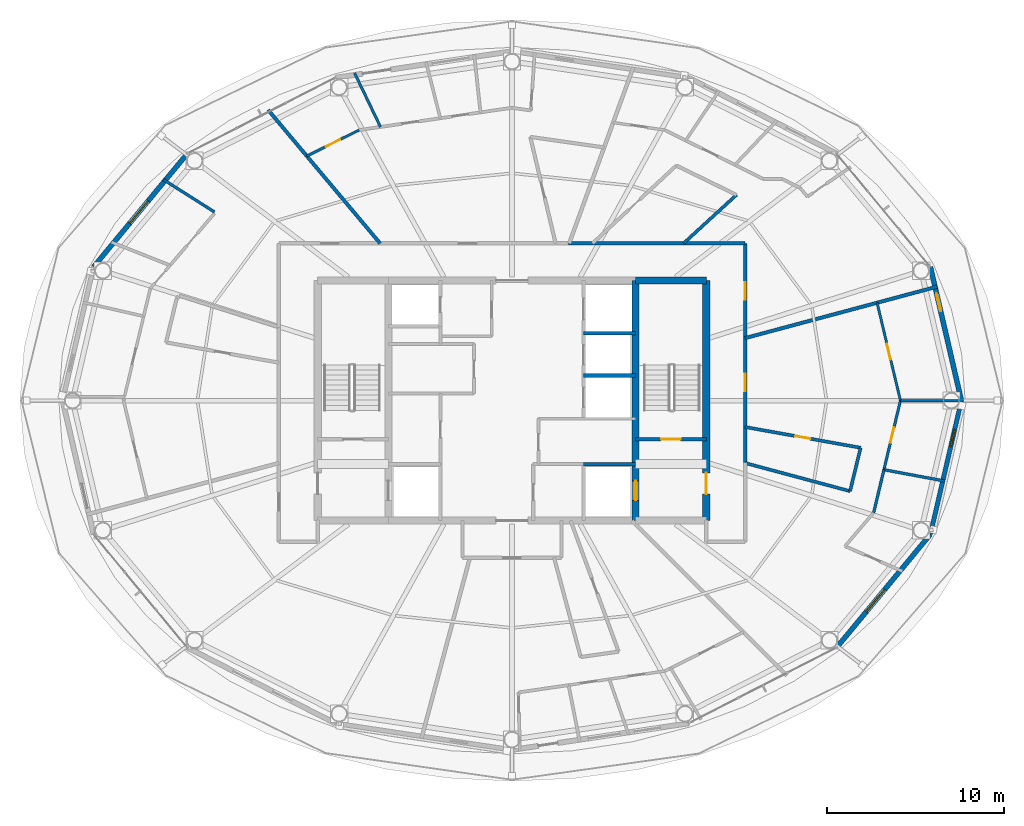
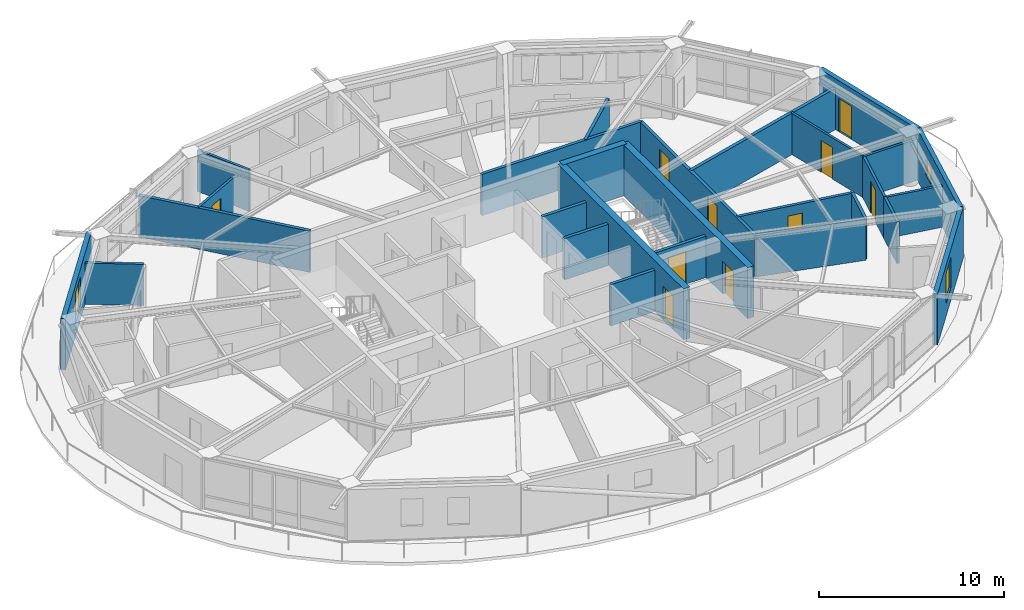
# One storey, part 18 of 23: 27 walls, 10 doors, 3 windows, 13 openings.
"""IFC4 building model written with IfcOpenShell, lengths in metres."""

from ifc_helpers import new_model, si_unit, direction, frame, frame_2d, origin, place, context, subcontext, project, spatial, rectangle, extrude, material, layer, layer_set, type_object, element, fill, save


model = new_model("IFC4")

# Units and contexts
model_context = context("Model", 3, precision=1e-05, world=origin(), true_north=direction((0.0, 1.0)))
body_context = subcontext(model_context, "Body", "Model", "MODEL_VIEW")
ifc_project = project(units=[si_unit("LENGTHUNIT", "METRE"), si_unit("AREAUNIT", "SQUARE_METRE"), si_unit("VOLUMEUNIT", "CUBIC_METRE"), si_unit("PLANEANGLEUNIT", "RADIAN"), si_unit("MASSUNIT", "GRAM", prefix="KILO")], contexts=[model_context])

# Site, building, storey
site_placement = place(None, origin())
site = spatial("IfcSite", under=ifc_project, at=site_placement, CompositionType="ELEMENT")
building_placement = place(site_placement, origin())
building = spatial("IfcBuilding", under=site, at=building_placement, Name="Sarneth Arch Tower", CompositionType="ELEMENT")
storey_placement = place(building_placement, frame((0.0, 0.0, 262.199951171875)))
storey = spatial("IfcBuildingStorey", under=building, at=storey_placement, Name="L67", CompositionType="ELEMENT", Elevation=262.199951171875)

# Wall
ifc_material_1 = material(Name="Concrete C50/60", Category="concrete")
ifc_layer_1 = layer(ifc_material_1, 0.39990234375)
ifc_layer_set_1 = layer_set([ifc_layer_1], Name="Concrete C50/60")
wall_type_1 = type_object("IfcWallType", Name="WALL-CORE-400", PredefinedType="SHEAR", material=ifc_layer_set_1)
wall_1_placement = place(storey_placement, frame((55.0, 48.800048828125, 0.0), z_axis=(0.0, 0.0, 1.0), x_axis=(1.0, 0.0, 0.0)))
element("IfcWall", 1, at=wall_1_placement, inside=storey, type_object=wall_type_1, Name="L67 Core shear wall N-E", PredefinedType="SHEAR", context=body_context, shape_type="SweptSolid", body=[
    extrude(rectangle(XDim=4.0, YDim=0.39990234375, at=frame_2d((2.0, 0.0))), origin(), (0.0, 0.0, 1.0), 3.3701171875),
])

# Wall, opening, door
wall_2_placement = place(storey_placement, frame((59.0, 35.199951171875, 0.0), z_axis=(0.0, 0.0, 1.0), x_axis=(0.0, 1.0, 0.0)))
wall_2 = element("IfcWall", 2, at=wall_2_placement, inside=storey, type_object=wall_type_1, Name="L67 Core shear wall E", PredefinedType="SHEAR", context=body_context, shape_type="SweptSolid", body=[
    extrude(rectangle(XDim=13.60009765625, YDim=0.39990234375, at=frame_2d((6.800048828125, 0.0))), origin(), (0.0, 0.0, 1.0), 3.3701171875),
])
opening_1_placement = place(wall_2_placement, frame((1.5, 0.0, 0.0)))
opening_1 = element("IfcOpeningElement", 3, at=opening_1_placement, cuts=wall_2, Name="Opening FD-02", PredefinedType="OPENING", context=body_context, shape_type="SweptSolid", body=[
    extrude(rectangle(XDim=1.199951171875, YDim=2.14990234375, at=frame_2d((0.60009765625, 1.074951171875))), frame((0.0, 0.2099609375, 0.0), z_axis=(0.0, -1.0, 0.0), x_axis=(1.0, 0.0, 0.0)), (0.0, 0.0, 1.0), 0.419921875),
])
ifc_material_2 = material(Name="Galvanised Steel S275 fire door set", Category="steel")
door_type_1 = type_object("IfcDoorType", Name="DR-FD90-1200", OperationType="SINGLE_SWING_LEFT", PredefinedType="DOOR", material=ifc_material_2)
door_1_placement = place(opening_1_placement, origin())
door_1 = element("IfcDoor", 4, at=door_1_placement, inside=storey, type_object=door_type_1, Name="L67 Firefighting lobby 2 exit door", OperationType="SINGLE_SWING_RIGHT", OverallHeight=2.14990234375, OverallWidth=1.199951171875, PredefinedType="DOOR", context=body_context, shape_type="SweptSolid", body=[
    extrude(rectangle(XDim=1.199951171875, YDim=2.14990234375, at=frame_2d((0.60009765625, 1.074951171875))), frame((0.0, 0.02490234375, 0.0), z_axis=(0.0, -1.0, 0.0), x_axis=(1.0, 0.0, 0.0)), (0.0, 0.0, 1.0), 0.050048828125),
])
fill(opening_1, door_1)

wall_3_placement = place(storey_placement, frame((55.0, 35.199951171875, 0.0), z_axis=(0.0, 0.0, 1.0), x_axis=(0.0, 1.0, 0.0)))
wall_3 = element("IfcWall", 5, at=wall_3_placement, inside=storey, type_object=wall_type_1, Name="L67 Core shear wall WEB-E", PredefinedType="SHEAR", context=body_context, shape_type="SweptSolid", body=[
    extrude(rectangle(XDim=13.60009765625, YDim=0.39990234375, at=frame_2d((6.800048828125, 0.0))), origin(), (0.0, 0.0, 1.0), 3.3701171875),
])
opening_2_placement = place(wall_3_placement, frame((1.14990234375, 0.0, 0.0)))
opening_2 = element("IfcOpeningElement", 6, at=opening_2_placement, cuts=wall_3, Name="Opening LD-1", PredefinedType="OPENING", context=body_context, shape_type="SweptSolid", body=[
    extrude(rectangle(XDim=1.10009765625, YDim=2.199951171875, at=frame_2d((0.550048828125, 1.10009765625))), frame((0.0, 0.2099609375, 0.0), z_axis=(0.0, -1.0, 0.0), x_axis=(1.0, 0.0, 0.0)), (0.0, 0.0, 1.0), 0.419921875),
])
ifc_material_3 = material(Name="Brushed Stainless Steel 304 lift landing door", Category="steel")
door_type_2 = type_object("IfcDoorType", Name="DR-LIFT-SLIDE-1100", OperationType="SLIDING_TO_LEFT", PredefinedType="DOOR", material=ifc_material_3)
door_2_placement = place(opening_2_placement, origin())
door_2 = element("IfcDoor", 7, at=door_2_placement, inside=storey, type_object=door_type_2, Name="L67 Firefighting lift landing door FL-2", OperationType="SLIDING_TO_RIGHT", OverallHeight=2.199951171875, OverallWidth=1.10009765625, PredefinedType="DOOR", context=body_context, shape_type="SweptSolid", body=[
    extrude(rectangle(XDim=1.10009765625, YDim=2.199951171875, at=frame_2d((0.550048828125, 1.10009765625))), frame((0.0, 0.02490234375, 0.0), z_axis=(0.0, -1.0, 0.0), x_axis=(1.0, 0.0, 0.0)), (0.0, 0.0, 1.0), 0.050048828125),
])
fill(opening_2, door_2)

# Wall, openings, doors
ifc_material_4 = material(Name="Double steel-stud corridor fire wall", Category="steel")
ifc_layer_2 = layer(ifc_material_4, 0.18994140625)
ifc_layer_set_2 = layer_set([ifc_layer_2], Name="Double steel-stud corridor fire wall")
wall_type_2 = type_object("IfcWallType", Name="WALL-CORR-190", PredefinedType="PARTITIONING", material=ifc_layer_set_2)
wall_4_placement = place(storey_placement, frame((61.199951171875, 50.89990234375, 0.0), z_axis=(0.0, 0.0, 1.0), x_axis=(0.0, -1.0, 0.0)))
wall_4 = element("IfcWall", 8, at=wall_4_placement, inside=storey, type_object=wall_type_2, Name="L67 Interior partition W-L67-TP-003", PredefinedType="PARTITIONING", context=body_context, shape_type="SweptSolid", body=[
    extrude(rectangle(XDim=12.469970703125, YDim=0.18994140625, at=frame_2d((6.23486328125, 0.0))), origin(), (0.0, 0.0, 1.0), 2.72998046875),
])
opening_3_placement = place(wall_4_placement, frame((2.197998046875, 0.0, 0.0)))
opening_3 = element("IfcOpeningElement", 9, at=opening_3_placement, cuts=wall_4, Name="Opening FD-08", PredefinedType="OPENING", context=body_context, shape_type="SweptSolid", body=[
    extrude(rectangle(XDim=1.0, YDim=2.199951171875, at=frame_2d((0.5, 1.10009765625))), frame((0.0, 0.10498046875, 0.0), z_axis=(0.0, -1.0, 0.0), x_axis=(1.0, 0.0, 0.0)), (0.0, 0.0, 1.0), 0.2099609375),
])
opening_4_placement = place(wall_4_placement, frame((7.3798828125, 0.0, 0.0)))
opening_4 = element("IfcOpeningElement", 10, at=opening_4_placement, cuts=wall_4, Name="Opening FD-08", PredefinedType="OPENING", context=body_context, shape_type="SweptSolid", body=[
    extrude(rectangle(XDim=1.0, YDim=2.199951171875, at=frame_2d((0.5, 1.10009765625))), frame((0.0, 0.10498046875, 0.0), z_axis=(0.0, -1.0, 0.0), x_axis=(1.0, 0.0, 0.0)), (0.0, 0.0, 1.0), 0.2099609375),
])
ifc_material_5 = material(Name="Hardwood timber acoustic fire door", Category="wood")
door_type_3 = type_object("IfcDoorType", Name="DR-FD60-1000", OperationType="SINGLE_SWING_LEFT", PredefinedType="DOOR", material=ifc_material_5)
door_3_placement = place(opening_3_placement, origin())
door_3 = element("IfcDoor", 11, at=door_3_placement, inside=storey, type_object=door_type_3, Name="L67 Interior door DR-L67-U1-ENT", OperationType="SINGLE_SWING_LEFT", OverallHeight=2.199951171875, OverallWidth=1.0, PredefinedType="DOOR", context=body_context, shape_type="SweptSolid", body=[
    extrude(rectangle(XDim=1.0, YDim=2.199951171875, at=frame_2d((0.5, 1.10009765625))), frame((0.0, 0.02490234375, 0.0), z_axis=(0.0, -1.0, 0.0), x_axis=(1.0, 0.0, 0.0)), (0.0, 0.0, 1.0), 0.050048828125),
])
fill(opening_3, door_3)
door_4_placement = place(opening_4_placement, origin())
door_4 = element("IfcDoor", 12, at=door_4_placement, inside=storey, type_object=door_type_3, Name="L67 Interior door DR-L67-U6-ENT", OperationType="SINGLE_SWING_RIGHT", OverallHeight=2.199951171875, OverallWidth=1.0, PredefinedType="DOOR", context=body_context, shape_type="SweptSolid", body=[
    extrude(rectangle(XDim=1.0, YDim=2.199951171875, at=frame_2d((0.5, 1.10009765625))), frame((0.0, 0.02490234375, 0.0), z_axis=(0.0, -1.0, 0.0), x_axis=(1.0, 0.0, 0.0)), (0.0, 0.0, 1.0), 0.050048828125),
])
fill(opening_4, door_4)

# Wall
wall_5_placement = place(storey_placement, frame((51.205078125, 50.89990234375, 0.0), z_axis=(0.0, 0.0, 1.0), x_axis=(1.0, 0.0, 0.0)))
element("IfcWall", 13, at=wall_5_placement, inside=storey, type_object=wall_type_2, Name="L67 Interior partition W-L67-TP-004", PredefinedType="PARTITIONING", context=body_context, shape_type="SweptSolid", body=[
    extrude(rectangle(XDim=9.994873046875, YDim=0.18994140625, at=frame_2d((4.99755859375, 0.0))), origin(), (0.0, 0.0, 1.0), 2.72998046875),
])

# Wall, opening, window
ifc_material_6 = material(Name="Extruded terracotta rainscreen on Concrete C40/50 backing", Category="masonry")
ifc_layer_3 = layer(ifc_material_6, 0.25)
ifc_layer_set_3 = layer_set([ifc_layer_3], Name="Extruded terracotta rainscreen on Concrete C40/50 backing")
wall_type_3 = type_object("IfcWallType", Name="WALL-EXT-SPAND-250", PredefinedType="SOLIDWALL", material=ifc_layer_set_3)
wall_6_placement = place(storey_placement, frame((71.69384765625, 34.430419921875, 0.0), z_axis=(0.0, 0.0, 1.0), x_axis=(0.225635078214, 0.974211892495, 0.0)))
wall_6 = element("IfcWall", 14, at=wall_6_placement, inside=storey, type_object=wall_type_3, Name="L67 Terracotta perimeter wall 16", PredefinedType="SOLIDWALL", context=body_context, shape_type="SweptSolid", body=[
    extrude(rectangle(XDim=7.77001953125, YDim=0.25, at=frame_2d((3.885009765625, 0.0))), origin(), (0.0, 0.0, 1.0), 3.3701171875),
])
opening_5_placement = place(wall_6_placement, frame((5.09130859375, 0.0, 1.419921875)))
opening_5 = element("IfcOpeningElement", 15, at=opening_5_placement, cuts=wall_6, Name="Opening W-14", PredefinedType="OPENING", context=body_context, shape_type="SweptSolid", body=[
    extrude(rectangle(XDim=1.0, YDim=1.050048828125, at=frame_2d((0.5, 0.52490234375))), frame((0.0, 0.135009765625, 0.0), z_axis=(0.0, -1.0, 0.0), x_axis=(1.0, 0.0, 0.0)), (0.0, 0.0, 1.0), 0.27001953125),
])
ifc_material_7 = material(Name="Thermally broken Aluminium 6063-T6 and low-e laminated IGU", Category="aluminium")
window_type_1 = type_object("IfcWindowType", Name="WIN-TWR-1000x1050", PartitioningType="SINGLE_PANEL", PredefinedType="WINDOW", material=ifc_material_7)
window_1_placement = place(opening_5_placement, origin())
window_1 = element("IfcWindow", 16, at=window_1_placement, inside=storey, type_object=window_type_1, Name="L67 Dwelling bedroom window 05", OverallHeight=1.050048828125, OverallWidth=1.0, PartitioningType="SINGLE_PANEL", PredefinedType="WINDOW", context=body_context, shape_type="SweptSolid", body=[
    extrude(rectangle(XDim=1.0, YDim=1.050048828125, at=frame_2d((0.5, 0.52490234375))), frame((0.0, 0.030029296875, 0.0), z_axis=(0.0, -1.0, 0.0), x_axis=(1.0, 0.0, 0.0)), (0.0, 0.0, 1.0), 0.06005859375),
])
fill(opening_5, window_1)

# Wall, opening, door
ifc_material_8 = material(Name="Extruded terracotta rainscreen on Concrete C40/50 backing", Category="masonry")
ifc_layer_4 = layer(ifc_material_8, 0.280029296875)
ifc_layer_set_4 = layer_set([ifc_layer_4], Name="Extruded terracotta rainscreen on Concrete C40/50 backing")
wall_type_4 = type_object("IfcWallType", Name="WALL-EXT-TERRA-280", PredefinedType="SOLIDWALL", material=ifc_layer_set_4)
wall_7_placement = place(storey_placement, frame((73.447021484375, 42.0, 0.0), z_axis=(0.0, 0.0, 1.0), x_axis=(-0.225635078214, 0.974211892495, 0.0)))
wall_7 = element("IfcWall", 17, at=wall_7_placement, inside=storey, type_object=wall_type_4, Name="L67 Terracotta perimeter wall 01", PredefinedType="SOLIDWALL", context=body_context, shape_type="SweptSolid", body=[
    extrude(rectangle(XDim=7.77001953125, YDim=0.280029296875, at=frame_2d((3.885009765625, 0.0))), origin(), (0.0, 0.0, 1.0), 3.3701171875),
])
opening_6_placement = place(wall_7_placement, frame((5.192138671875, 0.0, 0.0)))
opening_6 = element("IfcOpeningElement", 18, at=opening_6_placement, cuts=wall_7, Name="Opening BD-4", PredefinedType="OPENING", context=body_context, shape_type="SweptSolid", body=[
    extrude(rectangle(XDim=1.050048828125, YDim=2.199951171875, at=frame_2d((0.52490234375, 1.10009765625))), frame((0.0, 0.14990234375, 0.0), z_axis=(0.0, -1.0, 0.0), x_axis=(1.0, 0.0, 0.0)), (0.0, 0.0, 1.0), 0.300048828125),
])
ifc_material_9 = material(Name="Thermally broken Aluminium 6063-T6 and laminated safety glass", Category="aluminium")
door_type_4 = type_object("IfcDoorType", Name="DR-BALC-GLZ-1050", OperationType="SINGLE_SWING_RIGHT", PredefinedType="DOOR", material=ifc_material_9)
door_5_placement = place(opening_6_placement, origin())
door_5 = element("IfcDoor", 19, at=door_5_placement, inside=storey, type_object=door_type_4, Name="L67 Balcony glazed door 01", OperationType="SINGLE_SWING_RIGHT", OverallHeight=2.199951171875, OverallWidth=1.050048828125, PredefinedType="DOOR", context=body_context, shape_type="SweptSolid", body=[
    extrude(rectangle(XDim=1.050048828125, YDim=2.199951171875, at=frame_2d((0.52490234375, 1.10009765625))), frame((0.0, 0.02490234375, 0.0), z_axis=(0.0, -1.0, 0.0), x_axis=(1.0, 0.0, 0.0)), (0.0, 0.0, 1.0), 0.050048828125),
])
fill(opening_6, door_5)

# Wall, opening, window
wall_8_placement = place(storey_placement, frame((29.617431640625, 55.986572265625, 0.0), z_axis=(0.0, 0.0, 1.0), x_axis=(-0.63761509934, -0.770355103243, 0.0)))
wall_8 = element("IfcWall", 20, at=wall_8_placement, inside=storey, type_object=wall_type_4, Name="L67 Terracotta perimeter wall 07", PredefinedType="SOLIDWALL", context=body_context, shape_type="SweptSolid", body=[
    extrude(rectangle(XDim=8.329833984375, YDim=0.280029296875, at=frame_2d((4.1650390625, 0.0))), origin(), (0.0, 0.0, 1.0), 3.3701171875),
])
opening_7_placement = place(wall_8_placement, frame((3.479248046875, 0.0, 0.85009765625)))
opening_7 = element("IfcOpeningElement", 21, at=opening_7_placement, cuts=wall_8, Name="Opening W-05", PredefinedType="OPENING", context=body_context, shape_type="SweptSolid", body=[
    extrude(rectangle(XDim=1.64990234375, YDim=2.0, at=frame_2d((0.824951171875, 1.0))), frame((0.0, 0.14990234375, 0.0), z_axis=(0.0, -1.0, 0.0), x_axis=(1.0, 0.0, 0.0)), (0.0, 0.0, 1.0), 0.300048828125),
])
ifc_material_10 = material(Name="Thermally broken Aluminium 6063-T6 and low-e laminated IGU", Category="aluminium")
window_type_2 = type_object("IfcWindowType", Name="WIN-TWR-1650x2000", PartitioningType="DOUBLE_PANEL_VERTICAL", PredefinedType="WINDOW", material=ifc_material_10)
window_2_placement = place(opening_7_placement, origin())
window_2 = element("IfcWindow", 22, at=window_2_placement, inside=storey, type_object=window_type_2, Name="L67 Exterior window 07A", OverallHeight=2.0, OverallWidth=1.64990234375, PartitioningType="SINGLE_PANEL", PredefinedType="WINDOW", context=body_context, shape_type="SweptSolid", body=[
    extrude(rectangle(XDim=1.64990234375, YDim=2.0, at=frame_2d((0.824951171875, 1.0))), frame((0.0, 0.030029296875, 0.0), z_axis=(0.0, -1.0, 0.0), x_axis=(1.0, 0.0, 0.0)), (0.0, 0.0, 1.0), 0.06005859375),
])
fill(opening_7, window_2)

wall_9_placement = place(storey_placement, frame((66.382568359375, 28.013427734375, 0.0), z_axis=(0.0, 0.0, 1.0), x_axis=(0.63761509934, 0.770355103243, 0.0)))
wall_9 = element("IfcWall", 23, at=wall_9_placement, inside=storey, type_object=wall_type_4, Name="L67 Terracotta perimeter wall 15", PredefinedType="SOLIDWALL", context=body_context, shape_type="SweptSolid", body=[
    extrude(rectangle(XDim=8.329833984375, YDim=0.280029296875, at=frame_2d((4.1650390625, 0.0))), origin(), (0.0, 0.0, 1.0), 3.3701171875),
])
opening_8_placement = place(wall_9_placement, frame((2.6298828125, 0.0, 0.85009765625)))
opening_8 = element("IfcOpeningElement", 24, at=opening_8_placement, cuts=wall_9, Name="Opening W-05", PredefinedType="OPENING", context=body_context, shape_type="SweptSolid", body=[
    extrude(rectangle(XDim=1.64990234375, YDim=2.0, at=frame_2d((0.824951171875, 1.0))), frame((0.0, 0.14990234375, 0.0), z_axis=(0.0, -1.0, 0.0), x_axis=(1.0, 0.0, 0.0)), (0.0, 0.0, 1.0), 0.300048828125),
])
window_3_placement = place(opening_8_placement, origin())
window_3 = element("IfcWindow", 25, at=window_3_placement, inside=storey, type_object=window_type_2, Name="L67 Exterior window 15A", OverallHeight=2.0, OverallWidth=1.64990234375, PartitioningType="SINGLE_PANEL", PredefinedType="WINDOW", context=body_context, shape_type="SweptSolid", body=[
    extrude(rectangle(XDim=1.64990234375, YDim=2.0, at=frame_2d((0.824951171875, 1.0))), frame((0.0, 0.030029296875, 0.0), z_axis=(0.0, -1.0, 0.0), x_axis=(1.0, 0.0, 0.0)), (0.0, 0.0, 1.0), 0.06005859375),
])
fill(opening_8, window_3)

# Wall, opening, door
ifc_material_11 = material(Name="Apartment internal stud partition", Category="gypsum")
ifc_layer_5 = layer(ifc_material_11, 0.139892578125)
ifc_layer_set_5 = layer_set([ifc_layer_5], Name="Apartment internal stud partition")
wall_type_5 = type_object("IfcWallType", Name="WALL-PART-140", PredefinedType="PARTITIONING", material=ifc_layer_set_5)
wall_10_placement = place(storey_placement, frame((68.67333984375, 47.539306640625, 0.0), z_axis=(0.0, 0.0, 1.0), x_axis=(0.232304342064, -0.972643147644, 0.0)))
wall_10 = element("IfcWall", 26, at=wall_10_placement, inside=storey, type_object=wall_type_5, Name="L67 Interior partition W-L67-TP-094", PredefinedType="PARTITIONING", context=body_context, shape_type="SweptSolid", body=[
    extrude(rectangle(XDim=5.695068359375, YDim=0.139892578125, at=frame_2d((2.84765625, 0.0))), origin(), (0.0, 0.0, 1.0), 2.72998046875),
])
opening_9_placement = place(wall_10_placement, frame((2.397705078125, 0.0, 0.0)))
opening_9 = element("IfcOpeningElement", 27, at=opening_9_placement, cuts=wall_10, Name="Opening ID-01", PredefinedType="OPENING", context=body_context, shape_type="SweptSolid", body=[
    extrude(rectangle(XDim=0.89990234375, YDim=2.10009765625, at=frame_2d((0.449951171875, 1.050048828125))), frame((0.0, 0.079833984375, 0.0), z_axis=(0.0, -1.0, 0.0), x_axis=(1.0, 0.0, 0.0)), (0.0, 0.0, 1.0), 0.159912109375),
])
ifc_material_12 = material(Name="Engineered hardwood flush door", Category="wood")
door_type_5 = type_object("IfcDoorType", Name="DR-INT-900", OperationType="SINGLE_SWING_LEFT", PredefinedType="DOOR", material=ifc_material_12)
door_6_placement = place(opening_9_placement, origin())
door_6 = element("IfcDoor", 28, at=door_6_placement, inside=storey, type_object=door_type_5, Name="L67 Interior door DR-L67-U6-BED2", OperationType="SINGLE_SWING_RIGHT", OverallHeight=2.10009765625, OverallWidth=0.89990234375, PredefinedType="DOOR", context=body_context, shape_type="SweptSolid", body=[
    extrude(rectangle(XDim=0.89990234375, YDim=2.10009765625, at=frame_2d((0.449951171875, 1.050048828125))), frame((0.0, 0.02490234375, 0.0), z_axis=(0.0, -1.0, 0.0), x_axis=(1.0, 0.0, 0.0)), (0.0, 0.0, 1.0), 0.050048828125),
])
fill(opening_9, door_6)

ifc_material_13 = material(Name="Acoustic gypsum stud partition", Category="gypsum")
ifc_layer_6 = layer(ifc_material_13, 0.14990234375)
ifc_layer_set_6 = layer_set([ifc_layer_6], Name="Acoustic gypsum stud partition")
wall_type_6 = type_object("IfcWallType", Name="WALL-PART-150", PredefinedType="PARTITIONING", material=ifc_layer_set_6)
wall_11_placement = place(storey_placement, frame((69.06103515625, 38.08447265625, 0.0), z_axis=(0.0, 0.0, 1.0), x_axis=(0.232333768072, 0.972636119118, 0.0)))
wall_11 = element("IfcWall", 29, at=wall_11_placement, inside=storey, type_object=wall_type_6, Name="L67 Interior partition W-L67-TP-093", PredefinedType="PARTITIONING", context=body_context, shape_type="SweptSolid", body=[
    extrude(rectangle(XDim=4.025634765625, YDim=0.14990234375, at=frame_2d((2.0126953125, 0.0))), origin(), (0.0, 0.0, 1.0), 2.72998046875),
])
opening_10_placement = place(wall_11_placement, frame((1.56298828125, 0.0, 0.0)))
opening_10 = element("IfcOpeningElement", 30, at=opening_10_placement, cuts=wall_11, Name="Opening ID-01", PredefinedType="OPENING", context=body_context, shape_type="SweptSolid", body=[
    extrude(rectangle(XDim=0.89990234375, YDim=2.10009765625, at=frame_2d((0.449951171875, 1.050048828125))), frame((0.0, 0.0849609375, 0.0), z_axis=(0.0, -1.0, 0.0), x_axis=(1.0, 0.0, 0.0)), (0.0, 0.0, 1.0), 0.169921875),
])
door_7_placement = place(opening_10_placement, origin())
door_7 = element("IfcDoor", 31, at=door_7_placement, inside=storey, type_object=door_type_5, Name="L67 Interior door DR-L67-U6-BED1", OperationType="SINGLE_SWING_LEFT", OverallHeight=2.10009765625, OverallWidth=0.89990234375, PredefinedType="DOOR", context=body_context, shape_type="SweptSolid", body=[
    extrude(rectangle(XDim=0.89990234375, YDim=2.10009765625, at=frame_2d((0.449951171875, 1.050048828125))), frame((0.0, 0.02490234375, 0.0), z_axis=(0.0, -1.0, 0.0), x_axis=(1.0, 0.0, 0.0)), (0.0, 0.0, 1.0), 0.050048828125),
])
fill(opening_10, door_7)

# Walls
wall_12_placement = place(storey_placement, frame((69.996337890625, 42.0, 0.0), z_axis=(0.0, 0.0, 1.0), x_axis=(1.0, 0.0, 0.0)))
element("IfcWall", 32, at=wall_12_placement, inside=storey, type_object=wall_type_6, Name="L67 Interior partition W-L67-TP-096", PredefinedType="PARTITIONING", context=body_context, shape_type="SweptSolid", body=[
    extrude(rectangle(XDim=3.570556640625, YDim=0.14990234375, at=frame_2d((1.78515625, 0.0))), origin(), (0.0, 0.0, 1.0), 2.72998046875),
])
wall_13_placement = place(storey_placement, frame((40.5537109375, 57.494140625, 0.0), z_axis=(0.0, 0.0, 1.0), x_axis=(-0.433125990105, 0.901333388206, 0.0)))
element("IfcWall", 33, at=wall_13_placement, inside=storey, type_object=wall_type_6, Name="L67 Interior partition W-L67-TP-054", PredefinedType="PARTITIONING", context=body_context, shape_type="SweptSolid", body=[
    extrude(rectangle(XDim=3.396240234375, YDim=0.14990234375, at=frame_2d((1.6982421875, 0.0))), origin(), (0.0, 0.0, 1.0), 2.72998046875),
])

# Wall, opening, door
wall_14_placement = place(storey_placement, frame((36.3818359375, 55.845947265625, 0.0), z_axis=(0.0, 0.0, 1.0), x_axis=(0.895604637563, 0.444850911177, 0.0)))
wall_14 = element("IfcWall", 34, at=wall_14_placement, inside=storey, type_object=wall_type_6, Name="L67 Interior partition W-L67-TP-049", PredefinedType="PARTITIONING", context=body_context, shape_type="SweptSolid", body=[
    extrude(rectangle(XDim=3.308837890625, YDim=0.14990234375, at=frame_2d((1.654296875, 0.0))), origin(), (0.0, 0.0, 1.0), 2.72998046875),
])
opening_11_placement = place(wall_14_placement, frame((1.204345703125, 0.0, 0.0)))
opening_11 = element("IfcOpeningElement", 35, at=opening_11_placement, cuts=wall_14, Name="Opening ID-01", PredefinedType="OPENING", context=body_context, shape_type="SweptSolid", body=[
    extrude(rectangle(XDim=0.89990234375, YDim=2.10009765625, at=frame_2d((0.449951171875, 1.050048828125))), frame((0.0, 0.0849609375, 0.0), z_axis=(0.0, -1.0, 0.0), x_axis=(1.0, 0.0, 0.0)), (0.0, 0.0, 1.0), 0.169921875),
])
door_8_placement = place(opening_11_placement, origin())
door_8 = element("IfcDoor", 36, at=door_8_placement, inside=storey, type_object=door_type_5, Name="L67 Interior door DR-L67-U2-BED3", OperationType="SINGLE_SWING_LEFT", OverallHeight=2.10009765625, OverallWidth=0.89990234375, PredefinedType="DOOR", context=body_context, shape_type="SweptSolid", body=[
    extrude(rectangle(XDim=0.89990234375, YDim=2.10009765625, at=frame_2d((0.449951171875, 1.050048828125))), frame((0.0, 0.02490234375, 0.0), z_axis=(0.0, -1.0, 0.0), x_axis=(1.0, 0.0, 0.0)), (0.0, 0.0, 1.0), 0.050048828125),
])
fill(opening_11, door_8)

# Walls
ifc_material_14 = material(Name="Kitchen wet service chase wall", Category="gypsum")
ifc_layer_7 = layer(ifc_material_14, 0.159912109375)
ifc_layer_set_7 = layer_set([ifc_layer_7], Name="Kitchen wet service chase wall")
wall_type_7 = type_object("IfcWallType", Name="WALL-PLUMB-160", PredefinedType="PLUMBINGWALL", material=ifc_layer_set_7)
wall_15_placement = place(storey_placement, frame((72.514404296875, 37.4423828125, 0.0), z_axis=(0.0, 0.0, 1.0), x_axis=(-0.983150389917, 0.182798552526, 0.0)))
element("IfcWall", 37, at=wall_15_placement, inside=storey, type_object=wall_type_7, Name="L67 Interior partition W-L67-TP-095", PredefinedType="PLUMBINGWALL", context=body_context, shape_type="SweptSolid", body=[
    extrude(rectangle(XDim=3.512451171875, YDim=0.159912109375, at=frame_2d((1.75634765625, 0.0))), origin(), (0.0, 0.0, 1.0), 2.72998046875),
])
wall_16_placement = place(storey_placement, frame((28.24853515625, 54.519287109375, 0.0), z_axis=(0.0, 0.0, 1.0), x_axis=(0.844643402302, -0.535329359318, 0.0)))
element("IfcWall", 38, at=wall_16_placement, inside=storey, type_object=wall_type_7, Name="L67 Interior partition W-L67-TP-058", PredefinedType="PLUMBINGWALL", context=body_context, shape_type="SweptSolid", body=[
    extrude(rectangle(XDim=3.43505859375, YDim=0.159912109375, at=frame_2d((1.717529296875, 0.0))), origin(), (0.0, 0.0, 1.0), 2.72998046875),
])
wall_17_placement = place(storey_placement, frame((68.48095703125, 35.655029296875, 0.0), z_axis=(0.0, 0.0, 1.0), x_axis=(0.232241557879, 0.972658140764, 0.0)))
element("IfcWall", 39, at=wall_17_placement, inside=storey, type_object=wall_type_7, Name="L67 Interior partition W-L67-TP-089", PredefinedType="PLUMBINGWALL", context=body_context, shape_type="SweptSolid", body=[
    extrude(rectangle(XDim=2.497802734375, YDim=0.159912109375, at=frame_2d((1.2490234375, 0.0))), origin(), (0.0, 0.0, 1.0), 2.72998046875),
])

# Wall, opening, door
ifc_material_15 = material(Name="Moisture-resistant plumbing chase wall", Category="gypsum")
ifc_layer_8 = layer(ifc_material_15, 0.179931640625)
ifc_layer_set_8 = layer_set([ifc_layer_8], Name="Moisture-resistant plumbing chase wall")
wall_type_8 = type_object("IfcWallType", Name="WALL-PLUMB-180", PredefinedType="PLUMBINGWALL", material=ifc_layer_set_8)
wall_18_placement = place(storey_placement, frame((61.199951171875, 40.502685546875, 0.0), z_axis=(0.0, 0.0, 1.0), x_axis=(0.984255481107, -0.176751656034, 0.0)))
wall_18 = element("IfcWall", 40, at=wall_18_placement, inside=storey, type_object=wall_type_8, Name="L67 Interior partition W-L67-TP-090", PredefinedType="PLUMBINGWALL", context=body_context, shape_type="SweptSolid", body=[
    extrude(rectangle(XDim=6.646728515625, YDim=0.179931640625, at=frame_2d((3.3232421875, 0.0))), origin(), (0.0, 0.0, 1.0), 2.72998046875),
])
opening_12_placement = place(wall_18_placement, frame((2.898193359375, 0.0, 0.0)))
opening_12 = element("IfcOpeningElement", 41, at=opening_12_placement, cuts=wall_18, Name="Opening ID-02", PredefinedType="OPENING", context=body_context, shape_type="SweptSolid", body=[
    extrude(rectangle(XDim=0.85009765625, YDim=2.10009765625, at=frame_2d((0.425048828125, 1.050048828125))), frame((0.0, 0.099853515625, 0.0), z_axis=(0.0, -1.0, 0.0), x_axis=(1.0, 0.0, 0.0)), (0.0, 0.0, 1.0), 0.199951171875),
])
ifc_material_16 = material(Name="Moisture-resistant bathroom timber door", Category="wood")
door_type_6 = type_object("IfcDoorType", Name="DR-INT-850", OperationType="SINGLE_SWING_RIGHT", PredefinedType="DOOR", material=ifc_material_16)
door_9_placement = place(opening_12_placement, origin())
door_9 = element("IfcDoor", 42, at=door_9_placement, inside=storey, type_object=door_type_6, Name="L67 Interior door DR-L67-U6-BATH", OperationType="SINGLE_SWING_RIGHT", OverallHeight=2.10009765625, OverallWidth=0.85009765625, PredefinedType="DOOR", context=body_context, shape_type="SweptSolid", body=[
    extrude(rectangle(XDim=0.85009765625, YDim=2.10009765625, at=frame_2d((0.425048828125, 1.050048828125))), frame((0.0, 0.02490234375, 0.0), z_axis=(0.0, -1.0, 0.0), x_axis=(1.0, 0.0, 0.0)), (0.0, 0.0, 1.0), 0.050048828125),
])
fill(opening_12, door_9)

# Walls
wall_19_placement = place(storey_placement, frame((67.143798828125, 36.87060546875, 0.0), z_axis=(0.0, 0.0, 1.0), x_axis=(-0.965930696626, 0.258800868073, 0.0)))
element("IfcWall", 43, at=wall_19_placement, inside=storey, type_object=wall_type_8, Name="L67 Interior partition W-L67-TP-092", PredefinedType="PLUMBINGWALL", context=body_context, shape_type="SweptSolid", body=[
    extrude(rectangle(XDim=6.153564453125, YDim=0.179931640625, at=frame_2d((3.07666015625, 0.0))), origin(), (0.0, 0.0, 1.0), 2.72998046875),
])
wall_20_placement = place(storey_placement, frame((60.711181640625, 53.647705078125, 0.0), z_axis=(0.0, 0.0, 1.0), x_axis=(-0.737258783223, -0.675610454745, 0.0)))
element("IfcWall", 44, at=wall_20_placement, inside=storey, type_object=wall_type_8, Name="L67 Interior partition W-L67-TP-031", PredefinedType="PLUMBINGWALL", context=body_context, shape_type="SweptSolid", body=[
    extrude(rectangle(XDim=4.067138671875, YDim=0.179931640625, at=frame_2d((2.03369140625, 0.0))), origin(), (0.0, 0.0, 1.0), 2.72998046875),
])
wall_21_placement = place(storey_placement, frame((67.741943359375, 39.327880859375, 0.0), z_axis=(0.0, 0.0, 1.0), x_axis=(-0.236511691524, -0.971628642935, 0.0)))
element("IfcWall", 45, at=wall_21_placement, inside=storey, type_object=wall_type_8, Name="L67 Interior partition W-L67-TP-091", PredefinedType="PLUMBINGWALL", context=body_context, shape_type="SweptSolid", body=[
    extrude(rectangle(XDim=2.529052734375, YDim=0.179931640625, at=frame_2d((1.2646484375, 0.0))), origin(), (0.0, 0.0, 1.0), 2.72998046875),
])

# Wall, opening, door
ifc_material_17 = material(Name="Aerated concrete blockwork C25/30", Category="masonry")
ifc_layer_9 = layer(ifc_material_17, 0.199951171875)
ifc_layer_set_9 = layer_set([ifc_layer_9], Name="Aerated concrete blockwork C25/30")
wall_type_9 = type_object("IfcWallType", Name="WALL-SHAFT-200", PredefinedType="SOLIDWALL", material=ifc_layer_set_9)
wall_22_placement = place(storey_placement, frame((55.0, 39.800048828125, 0.0), z_axis=(0.0, 0.0, 1.0), x_axis=(1.0, 0.0, 0.0)))
wall_22 = element("IfcWall", 46, at=wall_22_placement, inside=storey, type_object=wall_type_9, Name="L67 Interior partition W-L67-ST2-S", PredefinedType="SOLIDWALL", context=body_context, shape_type="SweptSolid", body=[
    extrude(rectangle(XDim=4.0, YDim=0.199951171875, at=frame_2d((2.0, 0.0))), origin(), (0.0, 0.0, 1.0), 2.72998046875),
])
opening_13_placement = place(wall_22_placement, frame((1.449951171875, 0.0, 0.0)))
opening_13 = element("IfcOpeningElement", 47, at=opening_13_placement, cuts=wall_22, Name="Opening FD-03", PredefinedType="OPENING", context=body_context, shape_type="SweptSolid", body=[
    extrude(rectangle(XDim=1.10009765625, YDim=2.14990234375, at=frame_2d((0.550048828125, 1.074951171875))), frame((0.0, 0.10986328125, 0.0), z_axis=(0.0, -1.0, 0.0), x_axis=(1.0, 0.0, 0.0)), (0.0, 0.0, 1.0), 0.219970703125),
])
ifc_material_18 = material(Name="Galvanised Steel S275 fire door set", Category="steel")
door_type_7 = type_object("IfcDoorType", Name="DR-FD90-1100", OperationType="SINGLE_SWING_LEFT", PredefinedType="DOOR", material=ifc_material_18)
door_10_placement = place(opening_13_placement, origin())
door_10 = element("IfcDoor", 48, at=door_10_placement, inside=storey, type_object=door_type_7, Name="L67 Interior door DR-L67-ST2", OperationType="SINGLE_SWING_RIGHT", OverallHeight=2.14990234375, OverallWidth=1.10009765625, PredefinedType="DOOR", context=body_context, shape_type="SweptSolid", body=[
    extrude(rectangle(XDim=1.10009765625, YDim=2.14990234375, at=frame_2d((0.550048828125, 1.074951171875))), frame((0.0, 0.02490234375, 0.0), z_axis=(0.0, -1.0, 0.0), x_axis=(1.0, 0.0, 0.0)), (0.0, 0.0, 1.0), 0.050048828125),
])
fill(opening_13, door_10)

# Walls
for number, where, z_axis, x_axis, name in (
    (49, (52.050048828125, 38.39990234375, 0.0), (0.0, 0.0, 1.0), (1.0, 0.0, 0.0), "L67 Interior partition W-L67-FL2-N"),
    (50, (52.050048828125, 43.419921875, 0.0), (0.0, 0.0, 1.0), (1.0, 0.0, 0.0), "L67 Interior partition W-L67-EB-DIV-4342"),
    (51, (52.050048828125, 45.800048828125, 0.0), (0.0, 0.0, 1.0), (1.0, 0.0, 0.0), "L67 Interior partition W-L67-EB-DIV-4580"),
):
    element("IfcWall", number, at=place(storey_placement, frame(where, z_axis=z_axis, x_axis=x_axis)), inside=storey, type_object=wall_type_9, Name=name, PredefinedType="SOLIDWALL", context=body_context, shape_type="SweptSolid", body=[
        extrude(rectangle(XDim=2.949951171875, YDim=0.199951171875, at=frame_2d((1.47509765625, 0.0))), origin(), (0.0, 0.0, 1.0), 2.72998046875),
    ])
ifc_material_19 = material(Name="Double steel-stud acoustic drywall", Category="steel")
ifc_layer_10 = layer(ifc_material_19, 0.199951171875)
ifc_layer_set_10 = layer_set([ifc_layer_10], Name="Double steel-stud acoustic drywall")
wall_type_10 = type_object("IfcWallType", Name="WALL-UNIT-200", PredefinedType="PARTITIONING", material=ifc_layer_set_10)
wall_23_placement = place(storey_placement, frame((72.075927734375, 48.451171875, 0.0), z_axis=(0.0, 0.0, 1.0), x_axis=(-0.965923661364, -0.258827124578, 0.0)))
element("IfcWall", 52, at=wall_23_placement, inside=storey, type_object=wall_type_10, Name="L67 Interior partition W-L67-TP-037", PredefinedType="PARTITIONING", context=body_context, shape_type="SweptSolid", body=[
    extrude(rectangle(XDim=11.259765625, YDim=0.199951171875, at=frame_2d((5.6298828125, 0.0))), origin(), (0.0, 0.0, 1.0), 2.72998046875),
])
wall_24_placement = place(storey_placement, frame((40.531982421875, 50.89990234375, 0.0), z_axis=(0.0, 0.0, 1.0), x_axis=(-0.642777155779, 0.766053214868, 0.0)))
element("IfcWall", 53, at=wall_24_placement, inside=storey, type_object=wall_type_10, Name="L67 Interior partition W-L67-TP-051", PredefinedType="PARTITIONING", context=body_context, shape_type="SweptSolid", body=[
    extrude(rectangle(XDim=9.868408203125, YDim=0.199951171875, at=frame_2d((4.93408203125, 0.0))), origin(), (0.0, 0.0, 1.0), 2.72998046875),
])

save(model, "model.ifc")
